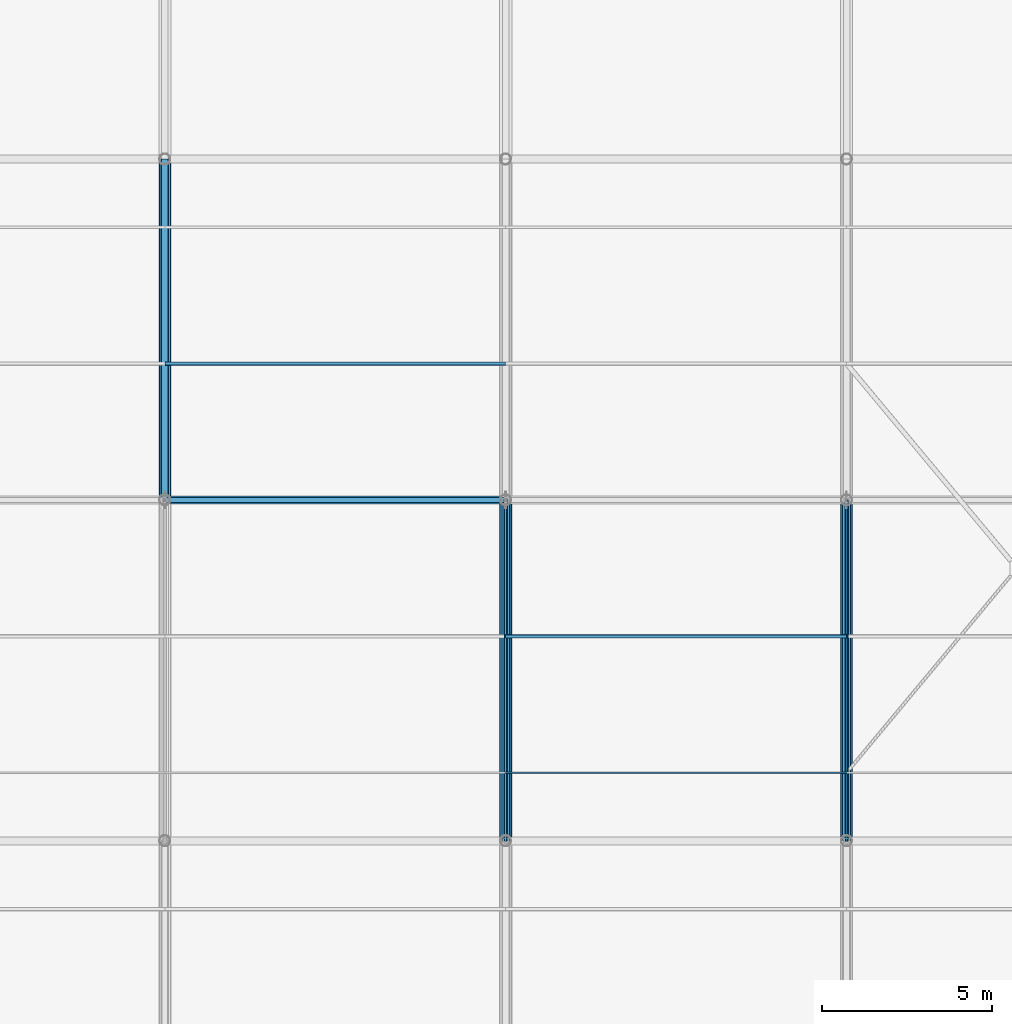
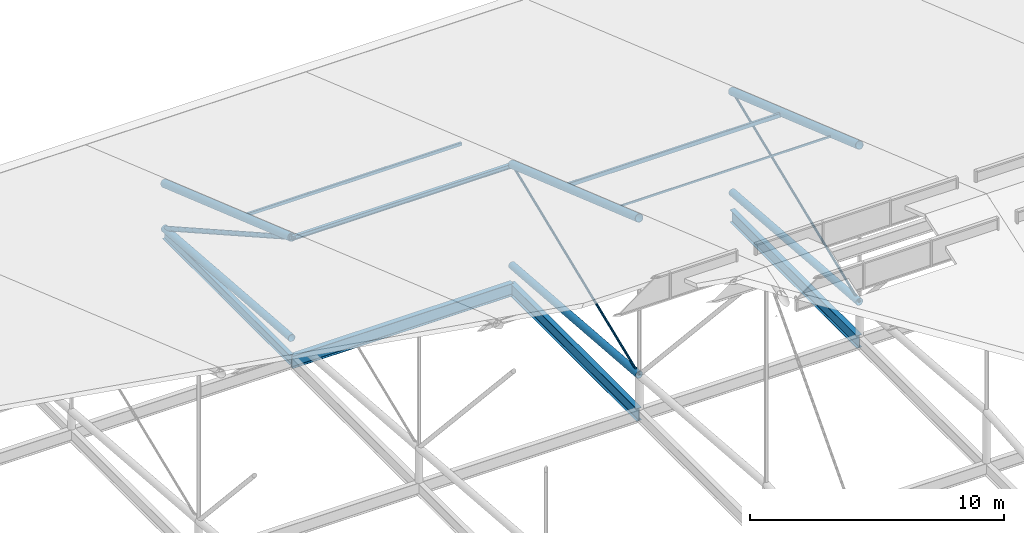
# One storey, part 45 of 93: 13 members, 4 beams.
"""IFC4 building model written with IfcOpenShell, lengths in metres."""

from ifc_helpers import new_model, si_unit, derived_unit, direction, frame, origin, origin_2d_with_axis, place, context, subcontext, project, spatial, hollow_rectangle, hollow_circle, i_section, extrude, material, material_profile, profile_set, type_object, element, save


model = new_model("IFC4")

# Units and contexts
model_context = context("Model", 3, precision=1e-05, world=origin(), true_north=direction((0.0, 1.0)))
body_context = subcontext(model_context, "Body", "Model", "MODEL_VIEW")
ifc_project = project(units=[si_unit("LENGTHUNIT", "METRE"), si_unit("AREAUNIT", "SQUARE_METRE"), si_unit("VOLUMEUNIT", "CUBIC_METRE"), si_unit("PLANEANGLEUNIT", "RADIAN"), si_unit("MASSUNIT", "GRAM", prefix="KILO"), derived_unit("THERMALTRANSMITTANCEUNIT", [(si_unit("POWERUNIT", "WATT"), 1), (si_unit("LENGTHUNIT", "METRE"), -2), (si_unit("THERMODYNAMICTEMPERATUREUNIT", "KELVIN"), -1)])], contexts=[model_context])

# Site, building, storey
site_placement = place(None, origin())
site = spatial("IfcSite", under=ifc_project, at=site_placement, CompositionType="ELEMENT")
building_placement = place(site_placement, origin())
building = spatial("IfcBuilding", under=site, at=building_placement, Name="Cinnabar Yard Market Hall", CompositionType="ELEMENT")
storey_placement = place(building_placement, frame((0.0, 0.0, 23.800048828125)))
storey = spatial("IfcBuildingStorey", under=building, at=storey_placement, Name="ROOF", CompositionType="ELEMENT", Elevation=23.800048828125)

# Beams
ifc_material_1 = material(Name="Steel Grade 300 (300 MPa)", Category="steel")
ifc_material_profile_1 = material_profile(ifc_material_1, i_section(OverallWidth=0.22802734375, OverallDepth=0.60205078125, WebThickness=0.010498046875, FlangeThickness=0.014892578125, FilletRadius=0.013916015625, at=origin_2d_with_axis()), Name="610UB101")
ifc_profile_set_1 = profile_set([ifc_material_profile_1], Name="Steel Grade 300 (300 MPa)")
beam_type_1 = type_object("IfcBeamType", Name="BM-B02", PredefinedType="BEAM", material=ifc_profile_set_1)
for number, where, z_axis, x_axis, name in (
    (1, (116.0, 64.0, -9.700927734375), (1.0, 0.0, 0.0), (0.0, 1.0, 0.0), "Hall Longitudinal Tie Girder 00408"),
    (2, (126.0, 54.0, -9.700927734375), (0.0, 1.0, 0.0), (-1.0, 0.0, 0.0), "Hall Transverse Tie Girder 00435"),
    (3, (136.0, 54.0, -9.700927734375), (0.0, 1.0, 0.0), (-1.0, 0.0, 0.0), "Hall Transverse Tie Girder 00439"),
):
    element("IfcBeam", number, at=place(storey_placement, frame(where, z_axis=z_axis, x_axis=x_axis)), inside=storey, type_object=beam_type_1, Name=name, PredefinedType="BEAM", context=body_context, shape_type="SweptSolid", body=[
        extrude(i_section(OverallWidth=0.22802734375, OverallDepth=0.60205078125, WebThickness=0.010498046875, FlangeThickness=0.014892578125, FilletRadius=0.013916015625, at=origin_2d_with_axis()), origin(), (0.0, 0.0, 1.0), 10.0),
    ])
ifc_material_profile_2 = material_profile(ifc_material_1, i_section(OverallWidth=0.19091796875, OverallDepth=0.46044921875, WebThickness=0.010009765625, FlangeThickness=0.01611328125, FilletRadius=0.011474609375, at=origin_2d_with_axis()), Name="460UB82.1")
ifc_profile_set_2 = profile_set([ifc_material_profile_2], Name="Steel Grade 300 (300 MPa)")
beam_type_2 = type_object("IfcBeamType", Name="BM-B04", PredefinedType="BEAM", material=ifc_profile_set_2)
beam_placement = place(storey_placement, frame((116.0, 64.0, -9.630126953125), z_axis=(0.0, 1.0, 0.0), x_axis=(-1.0, 0.0, 0.0)))
element("IfcBeam", 4, at=beam_placement, inside=storey, type_object=beam_type_2, Name="North Chhajja Backspan Girder 00534", PredefinedType="BEAM", context=body_context, shape_type="SweptSolid", body=[
    extrude(i_section(OverallWidth=0.19091796875, OverallDepth=0.46044921875, WebThickness=0.010009765625, FlangeThickness=0.01611328125, FilletRadius=0.011474609375, at=origin_2d_with_axis()), origin(), (0.0, 0.0, 1.0), 10.0),
])

# Members
ifc_material_2 = material(Name="Cold-formed steel C350L0", Category="steel")
ifc_material_profile_3 = material_profile(ifc_material_2, hollow_circle(Radius=0.161865234375, WallThickness=0.009521484375, at=origin_2d_with_axis()), Name="323.9x9.5CHS")
ifc_profile_set_3 = profile_set([ifc_material_profile_3], Name="Cold-formed steel C350L0")
member_type_1 = type_object("IfcMemberType", Name="MB-BC01", PredefinedType="CHORD", material=ifc_profile_set_3)
for number, where, z_axis, x_axis, name in (
    (5, (116.0, 64.0, -8.60009765625), (0.0, 0.99681489162, -0.07975005859), (-1.0, 0.0, 0.0), "Hall Truss 116 Bottom Chord 6"),
    (6, (126.0, 54.0, -7.800048828125), (0.0, 0.99681489162, -0.07975005859), (-1.0, 0.0, 0.0), "Hall Truss 126 Bottom Chord 5"),
    (7, (136.0, 54.0, -7.800048828125), (0.0, 0.99681489162, -0.07975005859), (-1.0, 0.0, 0.0), "Hall Truss 136 Bottom Chord 5"),
):
    element("IfcMember", number, at=place(storey_placement, frame(where, z_axis=z_axis, x_axis=x_axis)), inside=storey, type_object=member_type_1, Name=name, PredefinedType="CHORD", context=body_context, shape_type="SweptSolid", body=[
        extrude(hollow_circle(Radius=0.161865234375, WallThickness=0.009521484375, at=origin_2d_with_axis()), origin(), (0.0, 0.0, 1.0), 10.031982421875),
    ])
ifc_material_profile_4 = material_profile(ifc_material_2, hollow_circle(Radius=0.109619140625, WallThickness=0.00830078125, at=origin_2d_with_axis()), Name="219.1x8.2CHS")
ifc_profile_set_4 = profile_set([ifc_material_profile_4], Name="Cold-formed steel C350L0")
member_type_2 = type_object("IfcMemberType", Name="MB-DG01", PredefinedType="BRACE", material=ifc_profile_set_4)
member_1_placement = place(storey_placement, frame((116.0, 64.0, -3.76123046875), z_axis=(0.0, 0.871057093215, -0.491181779345), x_axis=(-1.0, 0.0, 0.0)))
element("IfcMember", 8, at=member_1_placement, inside=storey, type_object=member_type_2, Name="Hall Truss 116 Diagonal 6", PredefinedType="BRACE", context=body_context, shape_type="SweptSolid", body=[
    extrude(hollow_circle(Radius=0.109619140625, WallThickness=0.00830078125, at=origin_2d_with_axis()), origin(), (0.0, 0.0, 1.0), 11.480224609375),
])
ifc_material_profile_5 = material_profile(ifc_material_2, hollow_circle(Radius=0.05078125, WallThickness=0.0048828125, at=origin_2d_with_axis()), Name="101.6x5.0CHS")
ifc_profile_set_5 = profile_set([ifc_material_profile_5], Name="Cold-formed steel C350L0")
member_type_3 = type_object("IfcMemberType", Name="MB-DG05", PredefinedType="BRACE", material=ifc_profile_set_5)
for number, where, z_axis, x_axis, name in (
    (9, (126.0, 54.0, -7.800048828125), (0.0, 0.927230348791, 0.374491495607), (-1.0, 0.0, 0.0), "Hall Truss 126 Diagonal 5"),
    (10, (136.0, 54.0, -7.800048828125), (0.0, 0.927230348791, 0.374491495607), (-1.0, 0.0, 0.0), "Hall Truss 136 Diagonal 5"),
):
    element("IfcMember", number, at=place(storey_placement, frame(where, z_axis=z_axis, x_axis=x_axis)), inside=storey, type_object=member_type_3, Name=name, PredefinedType="BRACE", context=body_context, shape_type="SweptSolid", body=[
        extrude(hollow_circle(Radius=0.05078125, WallThickness=0.0048828125, at=origin_2d_with_axis()), origin(), (0.0, 0.0, 1.0), 10.784912109375),
    ])
ifc_material_profile_6 = material_profile(ifc_material_2, hollow_rectangle(XDim=0.10009765625, YDim=0.199951171875, WallThickness=0.006103515625, InnerFilletRadius=0.006103515625, OuterFilletRadius=0.011962890625, at=origin_2d_with_axis()), Name="200x100x6.0RHS")
ifc_profile_set_6 = profile_set([ifc_material_profile_6], Name="Cold-formed steel C350L0")
member_type_4 = type_object("IfcMemberType", Name="MB-PU01", PredefinedType="PURLIN", material=ifc_profile_set_6)
member_2_placement = place(storey_placement, frame((126.0, 60.0, -2.4091796875), z_axis=(1.0, 0.0, 0.0), x_axis=(0.0, 1.0, 0.0)))
element("IfcMember", 11, at=member_2_placement, inside=storey, type_object=member_type_4, Name="Hall Roof Purlin Y60 X126", PredefinedType="PURLIN", context=body_context, shape_type="SweptSolid", body=[
    extrude(hollow_rectangle(XDim=0.10009765625, YDim=0.199951171875, WallThickness=0.006103515625, InnerFilletRadius=0.006103515625, OuterFilletRadius=0.011962890625, at=origin_2d_with_axis()), origin(), (0.0, 0.0, 1.0), 10.0),
])
ifc_material_profile_7 = material_profile(ifc_material_1, i_section(OverallWidth=0.134033203125, OverallDepth=0.20703125, WebThickness=0.00634765625, FlangeThickness=0.009521484375, FilletRadius=0.0087890625, at=origin_2d_with_axis()), Name="200UB29.8")
ifc_profile_set_7 = profile_set([ifc_material_profile_7], Name="Steel Grade 300 (300 MPa)")
member_type_5 = type_object("IfcMemberType", Name="MB-PU02", PredefinedType="PURLIN", material=ifc_profile_set_7)
member_3_placement = place(storey_placement, frame((116.0, 64.0, -3.80126953125), z_axis=(1.0, 0.0, 0.0), x_axis=(0.0, 1.0, 0.0)))
element("IfcMember", 12, at=member_3_placement, inside=storey, type_object=member_type_5, Name="Hall Roof Purlin Y64 X116", PredefinedType="PURLIN", context=body_context, shape_type="SweptSolid", body=[
    extrude(i_section(OverallWidth=0.134033203125, OverallDepth=0.20703125, WebThickness=0.00634765625, FlangeThickness=0.009521484375, FilletRadius=0.0087890625, at=origin_2d_with_axis()), origin(), (0.0, 0.0, 1.0), 10.0),
])
ifc_material_profile_8 = material_profile(ifc_material_2, hollow_rectangle(XDim=0.10009765625, YDim=0.14990234375, WallThickness=0.0048828125, InnerFilletRadius=0.0048828125, OuterFilletRadius=0.010009765625, at=origin_2d_with_axis()), Name="150x100x5.0RHS")
ifc_profile_set_8 = profile_set([ifc_material_profile_8], Name="Cold-formed steel C350L0")
member_type_6 = type_object("IfcMemberType", Name="MB-PU03", PredefinedType="PURLIN", material=ifc_profile_set_8)
member_4_placement = place(storey_placement, frame((116.0, 68.0, -5.193603515625), z_axis=(1.0, 0.0, 0.0), x_axis=(0.0, 1.0, 0.0)))
element("IfcMember", 13, at=member_4_placement, inside=storey, type_object=member_type_6, Name="Hall Roof Purlin Y68 X116", PredefinedType="PURLIN", context=body_context, shape_type="SweptSolid", body=[
    extrude(hollow_rectangle(XDim=0.10009765625, YDim=0.14990234375, WallThickness=0.0048828125, InnerFilletRadius=0.0048828125, OuterFilletRadius=0.010009765625, at=origin_2d_with_axis()), origin(), (0.0, 0.0, 1.0), 10.0),
])
ifc_material_profile_9 = material_profile(ifc_material_2, hollow_rectangle(XDim=0.050048828125, YDim=0.10009765625, WallThickness=0.00390625, InnerFilletRadius=0.00390625, OuterFilletRadius=0.008056640625, at=origin_2d_with_axis()), Name="100x50x4.0RHS")
ifc_profile_set_9 = profile_set([ifc_material_profile_9], Name="Cold-formed steel C350L0")
member_type_7 = type_object("IfcMemberType", Name="MB-PU10", PredefinedType="PURLIN", material=ifc_profile_set_9)
member_5_placement = place(storey_placement, frame((126.0, 56.0, -1.016845703125), z_axis=(1.0, 0.0, 0.0), x_axis=(0.0, 1.0, 0.0)))
element("IfcMember", 14, at=member_5_placement, inside=storey, type_object=member_type_7, Name="Hall Roof Purlin Y56 X126", PredefinedType="PURLIN", context=body_context, shape_type="SweptSolid", body=[
    extrude(hollow_rectangle(XDim=0.050048828125, YDim=0.10009765625, WallThickness=0.00390625, InnerFilletRadius=0.00390625, OuterFilletRadius=0.008056640625, at=origin_2d_with_axis()), origin(), (0.0, 0.0, 1.0), 10.0),
])
ifc_material_profile_10 = material_profile(ifc_material_2, hollow_circle(Radius=0.177734375, WallThickness=0.0126953125, at=origin_2d_with_axis()), Name="355.6x12.7CHS")
ifc_profile_set_10 = profile_set([ifc_material_profile_10], Name="Cold-formed steel C350L0")
member_type_8 = type_object("IfcMemberType", Name="MB-TC01", PredefinedType="CHORD", material=ifc_profile_set_10)
for number, where, z_axis, x_axis, name in (
    (15, (116.0, 64.0, -3.76123046875), (0.0, 0.944424919483, -0.328727199147), (-1.0, 0.0, 0.0), "Hall Truss 116 Top Chord 6"),
    (16, (126.0, 54.0, -0.28076171875), (0.0, 0.944432077625, -0.328706633267), (-1.0, 0.0, 0.0), "Hall Truss 126 Top Chord 5"),
    (17, (136.0, 54.0, -0.28076171875), (0.0, 0.944432077625, -0.328706633267), (-1.0, 0.0, 0.0), "Hall Truss 136 Top Chord 5"),
):
    element("IfcMember", number, at=place(storey_placement, frame(where, z_axis=z_axis, x_axis=x_axis)), inside=storey, type_object=member_type_8, Name=name, PredefinedType="CHORD", context=body_context, shape_type="SweptSolid", body=[
        extrude(hollow_circle(Radius=0.177734375, WallThickness=0.0126953125, at=origin_2d_with_axis()), origin(), (0.0, 0.0, 1.0), 10.58837890625),
    ])

save(model, "model.ifc")
